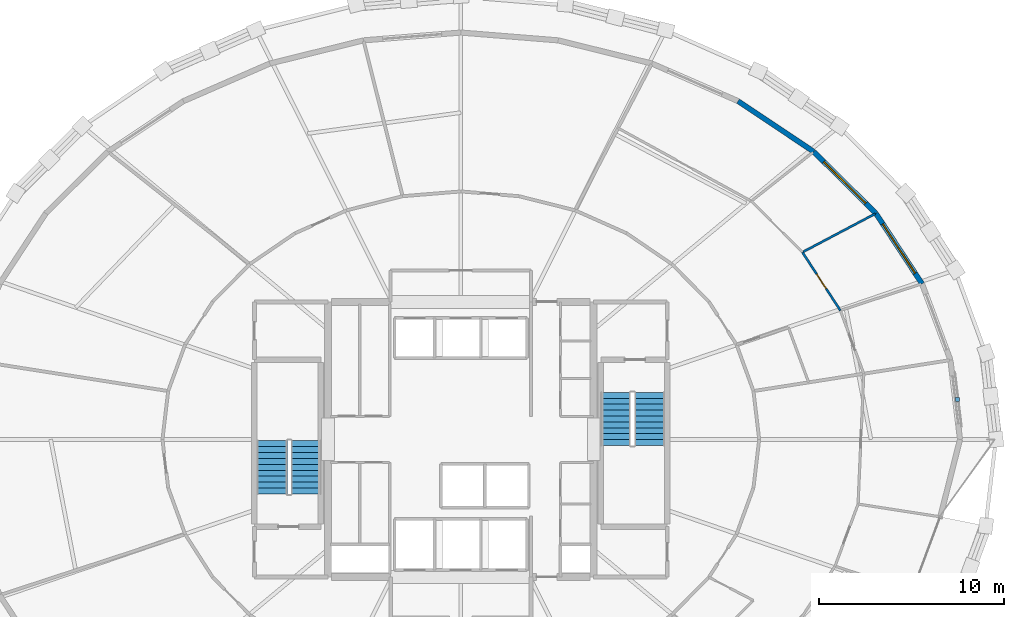
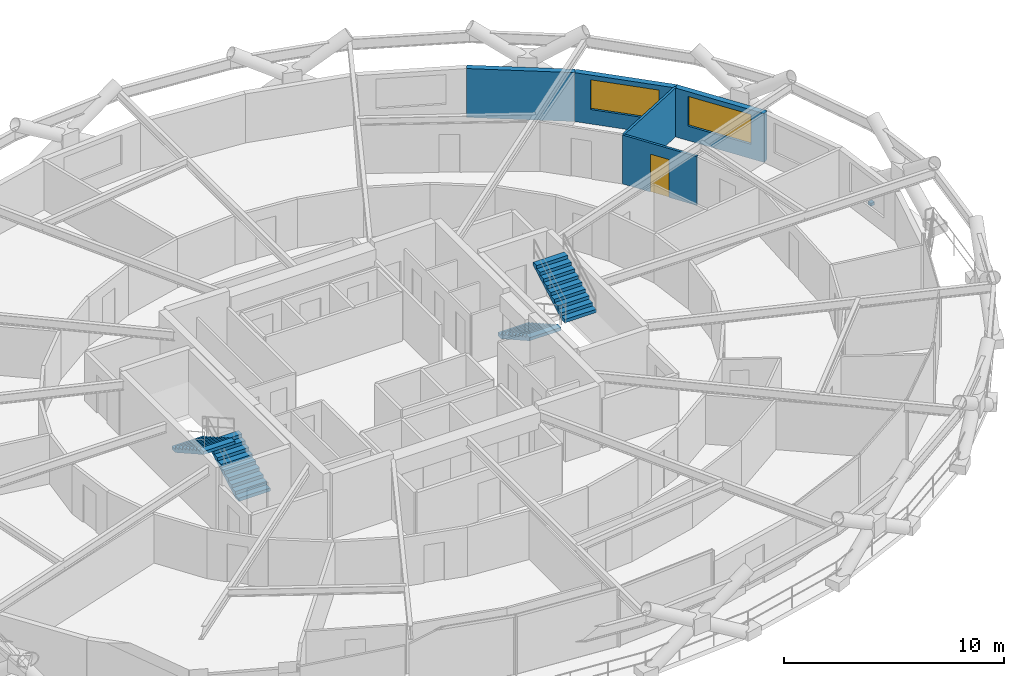
# One storey, part 19 of 22: 5 walls, 4 stair flights, 2 windows, 1 discrete accessory, 1 door, 3 openings, 2 elements without a shape of their own.
"""IFC4 building model written with IfcOpenShell, lengths in metres."""

from ifc_helpers import new_model, si_unit, direction, frame, frame_2d, origin, origin_2d, place, context, subcontext, project, spatial, polyline, rectangle, outline, extrude, material, layer, layer_set, type_object, element, fill, aggregate, save


model = new_model("IFC4")

# Units and contexts
model_context = context("Model", 3, precision=1e-05, world=origin(), true_north=direction((0.0, 1.0)))
body_context = subcontext(model_context, "Body", "Model", "MODEL_VIEW")
ifc_project = project(units=[si_unit("LENGTHUNIT", "METRE"), si_unit("AREAUNIT", "SQUARE_METRE"), si_unit("VOLUMEUNIT", "CUBIC_METRE"), si_unit("PLANEANGLEUNIT", "RADIAN"), si_unit("MASSUNIT", "GRAM", prefix="KILO")], contexts=[model_context])

# Site, building, storey
site_placement = place(None, origin())
site = spatial("IfcSite", under=ifc_project, at=site_placement, CompositionType="ELEMENT")
building_placement = place(site_placement, origin())
building = spatial("IfcBuilding", under=site, at=building_placement, Name="Veldorina Hangang Commons", CompositionType="ELEMENT")
storey_placement = place(building_placement, frame((0.0, 0.0, 80.800048828125)))
storey = spatial("IfcBuildingStorey", under=building, at=storey_placement, Name="L20", CompositionType="ELEMENT", Elevation=80.800048828125)

# Wall, opening, window
ifc_material_1 = material(Name="Stone Roman Travertine", Category="masonry")
ifc_layer_1 = layer(ifc_material_1, 0.280029296875)
ifc_layer_set_1 = layer_set([ifc_layer_1], Name="Stone Roman Travertine")
wall_type_1 = type_object("IfcWallType", Name="EW-TRAV-280", PredefinedType="STANDARD", material=ifc_layer_set_1)
wall_1_placement = place(storey_placement, frame((56.981689453125, 32.434326171875, 0.0), z_axis=(0.0, 0.0, 1.0), x_axis=(-0.54836617539, 0.83623832589, 0.0)))
wall_1 = element("IfcWall", 1, at=wall_1_placement, inside=storey, type_object=wall_type_1, Name="L20 travertine facade wall 02", PredefinedType="STANDARD", context=body_context, shape_type="SweptSolid", body=[
    extrude(rectangle(XDim=4.556884765625, YDim=0.280029296875, at=frame_2d((2.2783203125, 0.0))), origin(), (0.0, 0.0, 1.0), 2.7099609375),
])
opening_1_placement = place(wall_1_placement, frame((0.678466796875, 0.0, 0.800048828125)))
opening_1 = element("IfcOpeningElement", 2, at=opening_1_placement, cuts=wall_1, Name="Opening W-01", PredefinedType="OPENING", context=body_context, shape_type="SweptSolid", body=[
    extrude(rectangle(XDim=3.199951171875, YDim=1.64990234375, at=frame_2d((1.60009765625, 0.824951171875))), frame((0.0, 0.14990234375, 0.0), z_axis=(0.0, -1.0, 0.0), x_axis=(1.0, 0.0, 0.0)), (0.0, 0.0, 1.0), 0.300048828125),
])
ifc_material_2 = material(Name="Glass Low-E Triple IGU", Category="glass")
window_type = type_object("IfcWindowType", Name="WIN-TWR-3200", PartitioningType="SINGLE_PANEL", PredefinedType="WINDOW", material=ifc_material_2)
window_1_placement = place(opening_1_placement, origin())
window_1 = element("IfcWindow", 3, at=window_1_placement, inside=storey, type_object=window_type, Name="L20 facade window 02", OverallHeight=1.64990234375, OverallWidth=3.199951171875, PartitioningType="SINGLE_PANEL", PredefinedType="WINDOW", context=body_context, shape_type="SweptSolid", body=[
    extrude(rectangle(XDim=3.199951171875, YDim=1.64990234375, at=frame_2d((1.60009765625, 0.824951171875))), frame((0.0, 0.030029296875, 0.0), z_axis=(0.0, -1.0, 0.0), x_axis=(1.0, 0.0, 0.0)), (0.0, 0.0, 1.0), 0.06005859375),
])
fill(opening_1, window_1)

wall_2_placement = place(storey_placement, frame((54.48291015625, 36.244873046875, 0.0), z_axis=(0.0, 0.0, 1.0), x_axis=(-0.709523691603, 0.704681581322, 0.0)))
wall_2 = element("IfcWall", 4, at=wall_2_placement, inside=storey, type_object=wall_type_1, Name="L20 travertine facade wall 03", PredefinedType="STANDARD", context=body_context, shape_type="SweptSolid", body=[
    extrude(rectangle(XDim=4.739501953125, YDim=0.280029296875, at=frame_2d((2.36962890625, 0.0))), origin(), (0.0, 0.0, 1.0), 2.7099609375),
])
opening_2_placement = place(wall_2_placement, frame((0.769775390625, 0.0, 0.800048828125)))
opening_2 = element("IfcOpeningElement", 5, at=opening_2_placement, cuts=wall_2, Name="Opening W-01", PredefinedType="OPENING", context=body_context, shape_type="SweptSolid", body=[
    extrude(rectangle(XDim=3.199951171875, YDim=1.64990234375, at=frame_2d((1.60009765625, 0.824951171875))), frame((0.0, 0.14990234375, 0.0), z_axis=(0.0, -1.0, 0.0), x_axis=(1.0, 0.0, 0.0)), (0.0, 0.0, 1.0), 0.300048828125),
])
window_2_placement = place(opening_2_placement, origin())
window_2 = element("IfcWindow", 6, at=window_2_placement, inside=storey, type_object=window_type, Name="L20 facade window 03", OverallHeight=1.64990234375, OverallWidth=3.199951171875, PartitioningType="SINGLE_PANEL", PredefinedType="WINDOW", context=body_context, shape_type="SweptSolid", body=[
    extrude(rectangle(XDim=3.199951171875, YDim=1.64990234375, at=frame_2d((1.60009765625, 0.824951171875))), frame((0.0, 0.030029296875, 0.0), z_axis=(0.0, -1.0, 0.0), x_axis=(1.0, 0.0, 0.0)), (0.0, 0.0, 1.0), 0.06005859375),
])
fill(opening_2, window_2)

# Wall
wall_3_placement = place(storey_placement, frame((51.1201171875, 39.584716796875, 0.0), z_axis=(0.0, 0.0, 1.0), x_axis=(-0.831173050052, 0.556013813558, 0.0)))
element("IfcWall", 7, at=wall_3_placement, inside=storey, type_object=wall_type_1, Name="L20 travertine facade wall 04", PredefinedType="STANDARD", context=body_context, shape_type="SweptSolid", body=[
    extrude(rectangle(XDim=4.9296875, YDim=0.280029296875, at=frame_2d((2.46484375, 0.0))), origin(), (0.0, 0.0, 1.0), 2.7099609375),
])

# Wall, opening, door
ifc_material_3 = material(Name="Gypsum Acoustic Stud Partition", Category="gypsum")
ifc_layer_2 = layer(ifc_material_3, 0.1201171875)
ifc_layer_set_2 = layer_set([ifc_layer_2], Name="Gypsum Acoustic Stud Partition")
wall_type_2 = type_object("IfcWallType", Name="WL-PART-120", PredefinedType="PARTITIONING", material=ifc_layer_set_2)
wall_4_placement = place(storey_placement, frame((52.559814453125, 30.985107421875, 0.0), z_axis=(0.0, 0.0, 1.0), x_axis=(-0.545965266382, 0.83780781084, 0.0)))
wall_4 = element("IfcWall", 8, at=wall_4_placement, inside=storey, type_object=wall_type_2, Name="L20 Cluster 3 bed 2 front wall 101", PredefinedType="PARTITIONING", context=body_context, shape_type="SweptSolid", body=[
    extrude(rectangle(XDim=3.76708984375, YDim=0.1201171875, at=frame_2d((1.883544921875, 0.0))), origin(), (0.0, 0.0, 1.0), 2.7099609375),
])
opening_3_placement = place(wall_4_placement, frame((1.408203125, 0.0, 0.0)))
opening_3 = element("IfcOpeningElement", 9, at=opening_3_placement, cuts=wall_4, Name="Opening D-02", PredefinedType="OPENING", context=body_context, shape_type="SweptSolid", body=[
    extrude(rectangle(XDim=0.949951171875, YDim=2.10009765625, at=frame_2d((0.47509765625, 1.050048828125))), frame((0.0, 0.070068359375, 0.0), z_axis=(0.0, -1.0, 0.0), x_axis=(1.0, 0.0, 0.0)), (0.0, 0.0, 1.0), 0.14013671875),
])
ifc_material_4 = material(Name="Timber Solid Core Acoustic", Category="wood")
door_type = type_object("IfcDoorType", Name="DR-INT-950", OperationType="SINGLE_SWING_LEFT", PredefinedType="DOOR", material=ifc_material_4)
door_placement = place(opening_3_placement, origin())
door = element("IfcDoor", 10, at=door_placement, inside=storey, type_object=door_type, Name="L20 Cluster 3 bed 2 door 033", OperationType="SINGLE_SWING_LEFT", OverallHeight=2.10009765625, OverallWidth=0.949951171875, PredefinedType="DOOR", context=body_context, shape_type="SweptSolid", body=[
    extrude(rectangle(XDim=0.949951171875, YDim=2.10009765625, at=frame_2d((0.47509765625, 1.050048828125))), frame((0.0, 0.02490234375, 0.0), z_axis=(0.0, -1.0, 0.0), x_axis=(1.0, 0.0, 0.0)), (0.0, 0.0, 1.0), 0.050048828125),
])
fill(opening_3, door)

# Wall
wall_5_placement = place(storey_placement, frame((50.503173828125, 34.14111328125, 0.0), z_axis=(0.0, 0.0, 1.0), x_axis=(0.884085229331, 0.467325697216, 0.0)))
element("IfcWall", 11, at=wall_5_placement, inside=storey, type_object=wall_type_2, Name="L20 Cluster 3 bed divider 2 104", PredefinedType="PARTITIONING", context=body_context, shape_type="SweptSolid", body=[
    extrude(rectangle(XDim=4.45166015625, YDim=0.1201171875, at=frame_2d((2.225830078125, 0.0))), origin(), (0.0, 0.0, 1.0), 2.7099609375),
])

# Stair, stair flights
ifc_material_5 = material(Name="Concrete C40/50", Category="concrete")
stair_type = type_object("IfcStairType", Name="STR-DOG-1650-20R", PredefinedType="HALF_TURN_STAIR", material=ifc_material_5)
stair_1_placement = place(storey_placement, origin())
stair_1 = element("IfcStair", 12, at=stair_1_placement, inside=storey, type_object=stair_type, Name="L20 Exit stair ST-1", PredefinedType="HALF_TURN_STAIR")
stair_flight_type = type_object("IfcStairFlightType", Name="SFL-STR-1650-20R", PredefinedType="STRAIGHT", material=ifc_material_5)
stair_flight_1_placement = place(storey_placement, frame((23.625, 21.050048828125, 0.0), z_axis=(0.0, 0.0, 1.0), x_axis=(0.0, 1.0, 0.0)))
stair_flight_1 = element("IfcStairFlight", 13, at=stair_flight_1_placement, type_object=stair_flight_type, Name="ST-1 flight 1", NumberOfRisers=10, NumberOfTreads=9, PredefinedType="STRAIGHT", RiserHeight=0.18, TreadLength=0.32, context=body_context, shape_type="SweptSolid", body=[
    extrude(outline(polyline([(0.0, 0.0), (0.0, 0.179931640625), (0.320068359375, 0.179931640625), (0.320068359375, 0.360107421875), (0.639892578125, 0.360107421875), (0.639892578125, 0.5400390625), (0.9599609375, 0.5400390625), (0.9599609375, 0.719970703125), (1.280029296875, 0.719970703125), (1.280029296875, 0.89990234375), (1.60009765625, 0.89990234375), (1.60009765625, 1.080078125), (1.919921875, 1.080078125), (1.919921875, 1.260009765625), (2.239990234375, 1.260009765625), (2.239990234375, 1.43994140625), (2.56005859375, 1.43994140625), (2.56005859375, 1.6201171875), (2.8798828125, 1.6201171875), (2.8798828125, 1.800048828125), (2.8798828125, 1.447998046875), (0.3056640625, 0.0), (0.0, 0.0)])), frame((0.0, 0.824951171875, 0.0), z_axis=(0.0, -1.0, 0.0), x_axis=(1.0, 0.0, 0.0)), (0.0, 0.0, 1.0), 1.64990234375),
])
stair_flight_2_placement = place(storey_placement, frame((21.77490234375, 23.929931640625, 1.800048828125), z_axis=(0.0, 0.0, 1.0), x_axis=(0.0, -1.0, 0.0)))
stair_flight_2 = element("IfcStairFlight", 14, at=stair_flight_2_placement, type_object=stair_flight_type, Name="ST-1 flight 2", NumberOfRisers=10, NumberOfTreads=9, PredefinedType="STRAIGHT", RiserHeight=0.18, TreadLength=0.32, context=body_context, shape_type="SweptSolid", body=[
    extrude(outline(polyline([(0.0, 0.0), (0.0, 0.179931640625), (0.320068359375, 0.179931640625), (0.320068359375, 0.360107421875), (0.639892578125, 0.360107421875), (0.639892578125, 0.5400390625), (0.9599609375, 0.5400390625), (0.9599609375, 0.719970703125), (1.280029296875, 0.719970703125), (1.280029296875, 0.89990234375), (1.60009765625, 0.89990234375), (1.60009765625, 1.080078125), (1.919921875, 1.080078125), (1.919921875, 1.260009765625), (2.239990234375, 1.260009765625), (2.239990234375, 1.43994140625), (2.56005859375, 1.43994140625), (2.56005859375, 1.6201171875), (2.8798828125, 1.6201171875), (2.8798828125, 1.800048828125), (2.8798828125, 1.447998046875), (0.3056640625, 0.0), (0.0, 0.0)])), frame((0.0, 0.824951171875, 0.0), z_axis=(0.0, -1.0, 0.0), x_axis=(1.0, 0.0, 0.0)), (0.0, 0.0, 1.0), 1.64990234375),
])
aggregate(stair_1, [stair_flight_1, stair_flight_2])

stair_2_placement = place(storey_placement, origin())
stair_2 = element("IfcStair", 15, at=stair_2_placement, inside=storey, type_object=stair_type, Name="L20 Exit stair ST-2", PredefinedType="HALF_TURN_STAIR")
stair_flight_3_placement = place(storey_placement, frame((40.375, 26.550048828125, 0.0), z_axis=(0.0, 0.0, 1.0), x_axis=(0.0, -1.0, 0.0)))
stair_flight_3 = element("IfcStairFlight", 16, at=stair_flight_3_placement, type_object=stair_flight_type, Name="ST-2 flight 1", NumberOfRisers=10, NumberOfTreads=9, PredefinedType="STRAIGHT", RiserHeight=0.18, TreadLength=0.32, context=body_context, shape_type="SweptSolid", body=[
    extrude(outline(polyline([(0.0, 0.0), (0.0, 0.179931640625), (0.320068359375, 0.179931640625), (0.320068359375, 0.360107421875), (0.639892578125, 0.360107421875), (0.639892578125, 0.5400390625), (0.9599609375, 0.5400390625), (0.9599609375, 0.719970703125), (1.280029296875, 0.719970703125), (1.280029296875, 0.89990234375), (1.60009765625, 0.89990234375), (1.60009765625, 1.080078125), (1.919921875, 1.080078125), (1.919921875, 1.260009765625), (2.239990234375, 1.260009765625), (2.239990234375, 1.43994140625), (2.56005859375, 1.43994140625), (2.56005859375, 1.6201171875), (2.8798828125, 1.6201171875), (2.8798828125, 1.800048828125), (2.8798828125, 1.447998046875), (0.3056640625, 0.0), (0.0, 0.0)])), frame((0.0, 0.824951171875, 0.0), z_axis=(0.0, -1.0, 0.0), x_axis=(1.0, 0.0, 0.0)), (0.0, 0.0, 1.0), 1.64990234375),
])
stair_flight_4_placement = place(storey_placement, frame((42.22509765625, 23.669921875, 1.800048828125), z_axis=(0.0, 0.0, 1.0), x_axis=(0.0, 1.0, 0.0)))
stair_flight_4 = element("IfcStairFlight", 17, at=stair_flight_4_placement, type_object=stair_flight_type, Name="ST-2 flight 2", NumberOfRisers=10, NumberOfTreads=9, PredefinedType="STRAIGHT", RiserHeight=0.18, TreadLength=0.32, context=body_context, shape_type="SweptSolid", body=[
    extrude(outline(polyline([(0.0, 0.0), (0.0, 0.179931640625), (0.320068359375, 0.179931640625), (0.320068359375, 0.360107421875), (0.639892578125, 0.360107421875), (0.639892578125, 0.5400390625), (0.9599609375, 0.5400390625), (0.9599609375, 0.719970703125), (1.280029296875, 0.719970703125), (1.280029296875, 0.89990234375), (1.60009765625, 0.89990234375), (1.60009765625, 1.080078125), (1.919921875, 1.080078125), (1.919921875, 1.260009765625), (2.239990234375, 1.260009765625), (2.239990234375, 1.43994140625), (2.56005859375, 1.43994140625), (2.56005859375, 1.6201171875), (2.8798828125, 1.6201171875), (2.8798828125, 1.800048828125), (2.8798828125, 1.447998046875), (0.3056640625, 0.0), (0.0, 0.0)])), frame((0.0, 0.824951171875, 0.0), z_axis=(0.0, -1.0, 0.0), x_axis=(1.0, 0.0, 0.0)), (0.0, 0.0, 1.0), 1.64990234375),
])
aggregate(stair_2, [stair_flight_3, stair_flight_4])

# Discrete accessory
ifc_material_6 = material(Name="Stainless Steel Brushed 316", Category="steel")
discrete_accessory_type = type_object("IfcDiscreteAccessoryType", Name="BRK-SCR-SS", PredefinedType="BRACKET", material=ifc_material_6)
discrete_accessory_placement = place(storey_placement, frame((58.8994140625, 26.164306640625, 0.72021484375), z_axis=(0.0, 0.0, 1.0), x_axis=(-0.119963568163, 0.992778294643, 0.0)))
element("IfcDiscreteAccessory", 18, at=discrete_accessory_placement, inside=storey, type_object=discrete_accessory_type, Name="L20 solar screen support bracket 00", PredefinedType="BRACKET", context=body_context, shape_type="SweptSolid", body=[
    extrude(rectangle(XDim=0.219970703125, YDim=0.219970703125, at=origin_2d()), origin(), (0.0, 0.0, 1.0), 0.159912109375),
])

save(model, "model.ifc")
